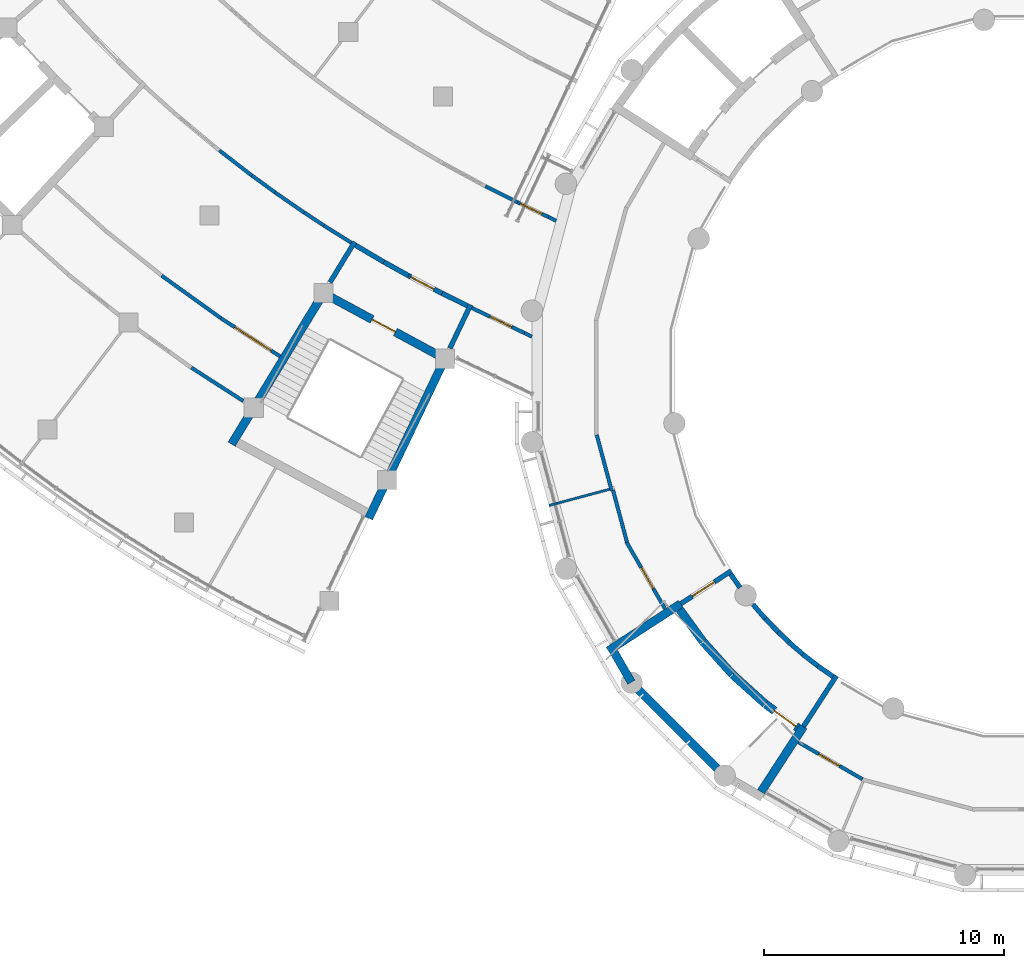
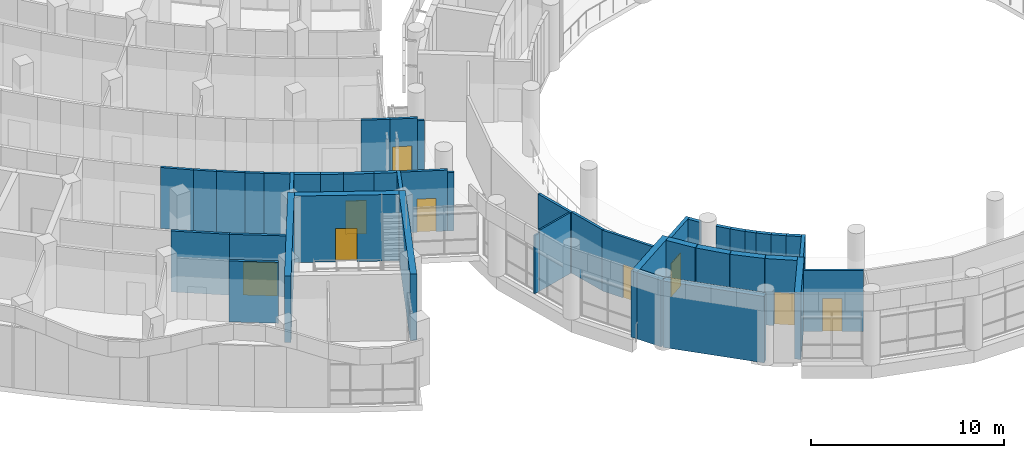
# One storey, part 45 of 109: 45 walls, 9 doors, 9 openings.
"""IFC4 building model written with IfcOpenShell, lengths in metres."""

from ifc_helpers import new_model, si_unit, direction, frame, frame_2d, origin, place, context, subcontext, project, spatial, rectangle, extrude, material, layer, layer_set, type_object, element, fill, save


model = new_model("IFC4")

# Units and contexts
model_context = context("Model", 3, precision=1e-05, world=origin(), true_north=direction((0.0, 1.0)))
body_context = subcontext(model_context, "Body", "Model", "MODEL_VIEW")
ifc_project = project(units=[si_unit("LENGTHUNIT", "METRE"), si_unit("AREAUNIT", "SQUARE_METRE"), si_unit("VOLUMEUNIT", "CUBIC_METRE"), si_unit("PLANEANGLEUNIT", "RADIAN"), si_unit("MASSUNIT", "GRAM", prefix="KILO")], contexts=[model_context])

# Site, building, storey
site_placement = place(None, origin())
site = spatial("IfcSite", under=ifc_project, at=site_placement, CompositionType="ELEMENT")
building_placement = place(site_placement, origin())
building = spatial("IfcBuilding", under=site, at=building_placement, Name="Bougainvillea Quay General Hospital", CompositionType="ELEMENT")
storey_placement = place(building_placement, frame((0.0, 0.0, 12.60009765625)))
storey = spatial("IfcBuildingStorey", under=building, at=storey_placement, Name="L02", CompositionType="ELEMENT", Elevation=12.60009765625)

# Walls
ifc_material_1 = material(Name="Gypsum board partition on steel studs", Category="steel")
ifc_layer_1 = layer(ifc_material_1, 0.10009765625)
ifc_layer_set_1 = layer_set([ifc_layer_1], Name="Gypsum board partition on steel studs")
wall_type_1 = type_object("IfcWallType", Name="Partition 100 Gypsum board partition EI 30", PredefinedType="PARTITIONING", material=ifc_layer_set_1)
wall_1_placement = place(storey_placement, frame((89.090087890625, 68.611083984375, 0.0), z_axis=(0.0, 0.0, 1.0), x_axis=(0.96589819818, 0.258922132605, 0.0)))
element("IfcWall", 1, at=wall_1_placement, inside=storey, type_object=wall_type_1, Name="Partition 100 mm EI 30", PredefinedType="PARTITIONING", context=body_context, shape_type="SweptSolid", body=[
    extrude(rectangle(XDim=0.349853515625, YDim=0.10009765625, at=frame_2d((0.1748046875, 0.0))), origin(), (0.0, 0.0, 1.0), 3.677978515625),
])
wall_2_placement = place(storey_placement, frame((89.427978515625, 68.70166015625, 0.0), z_axis=(0.0, 0.0, 1.0), x_axis=(0.96588300662, 0.25897879744, 0.0)))
element("IfcWall", 2, at=wall_2_placement, inside=storey, type_object=wall_type_1, Name="Partition 100 mm EI 30", PredefinedType="PARTITIONING", context=body_context, shape_type="SweptSolid", body=[
    extrude(rectangle(XDim=2.262451171875, YDim=0.10009765625, at=frame_2d((1.13134765625, 0.0))), origin(), (0.0, 0.0, 1.0), 3.849853515625),
])

# Wall, opening, door
ifc_material_2 = material(Name="Gypsum board partition on steel studs, insulated", Category="steel")
ifc_layer_2 = layer(ifc_material_2, 0.14990234375)
ifc_layer_set_2 = layer_set([ifc_layer_2], Name="Gypsum board partition on steel studs, insulated")
wall_type_2 = type_object("IfcWallType", Name="Partition 150 Gypsum board partition EI 30", PredefinedType="PARTITIONING", material=ifc_layer_set_2)
wall_3_placement = place(storey_placement, frame((99.4990234375, 58.7333984375, 0.0), z_axis=(0.0, 0.0, 1.0), x_axis=(0.866085584755, -0.499895749011, 0.0)))
wall_3 = element("IfcWall", 3, at=wall_3_placement, inside=storey, type_object=wall_type_2, Name="Partition 150 mm EI 30", PredefinedType="PARTITIONING", context=body_context, shape_type="SweptSolid", body=[
    extrude(rectangle(XDim=3.089599609375, YDim=0.14990234375, at=frame_2d((1.544921875, 0.0))), origin(), (0.0, 0.0, 1.0), 3.849853515625),
])
opening_1_placement = place(wall_3_placement, frame((0.984375, 0.0, 0.0)))
opening_1 = element("IfcOpeningElement", 4, at=opening_1_placement, cuts=wall_3, Name="Opening L02.244", PredefinedType="OPENING", context=body_context, shape_type="SweptSolid", body=[
    extrude(rectangle(XDim=1.0, YDim=2.10009765625, at=frame_2d((0.5, 1.050048828125))), frame((0.0, 0.0849609375, 0.0), z_axis=(0.0, -1.0, 0.0), x_axis=(1.0, 0.0, 0.0)), (0.0, 0.0, 1.0), 0.169921875),
])
ifc_material_3 = material(Name="Solid-core timber door leaf in steel frame", Category="steel")
door_type_1 = type_object("IfcDoorType", Name="Single leaf door 1000x2100 FD30S", OperationType="NOTDEFINED", PredefinedType="DOOR", material=ifc_material_3)
door_1_placement = place(opening_1_placement, frame((1.0, 0.0, 0.0), z_axis=(0.0, 0.0, 1.0), x_axis=(-1.0, 0.0, 0.0)))
door_1 = element("IfcDoor", 5, at=door_1_placement, inside=storey, type_object=door_type_1, Name="DT15 L02.244", OperationType="SINGLE_SWING_RIGHT", OverallHeight=2.10009765625, OverallWidth=1.0, PredefinedType="DOOR", context=body_context, shape_type="SweptSolid", body=[
    extrude(rectangle(XDim=1.0, YDim=2.10009765625, at=frame_2d((0.5, 1.050048828125))), frame((0.0, 0.02490234375, 0.0), z_axis=(0.0, -1.0, 0.0), x_axis=(1.0, 0.0, 0.0)), (0.0, 0.0, 1.0), 0.050048828125),
])
fill(opening_1, door_1)

wall_4_placement = place(storey_placement, frame((92.322509765625, 67.090087890625, 0.0), z_axis=(0.0, 0.0, 1.0), x_axis=(0.499927936522, -0.866067005655, 0.0)))
wall_4 = element("IfcWall", 6, at=wall_4_placement, inside=storey, type_object=wall_type_2, Name="Partition 150 mm EI 30", PredefinedType="PARTITIONING", context=body_context, shape_type="SweptSolid", body=[
    extrude(rectangle(XDim=3.22265625, YDim=0.14990234375, at=frame_2d((1.611328125, 0.0))), origin(), (0.0, 0.0, 1.0), 3.849853515625),
])
opening_2_placement = place(wall_4_placement, frame((1.23828125, 0.0, 0.0)))
opening_2 = element("IfcOpeningElement", 7, at=opening_2_placement, cuts=wall_4, Name="Opening L02.243", PredefinedType="OPENING", context=body_context, shape_type="SweptSolid", body=[
    extrude(rectangle(XDim=1.0, YDim=2.10009765625, at=frame_2d((0.5, 1.050048828125))), frame((0.0, 0.0849609375, 0.0), z_axis=(0.0, -1.0, 0.0), x_axis=(1.0, 0.0, 0.0)), (0.0, 0.0, 1.0), 0.169921875),
])
door_2_placement = place(opening_2_placement, frame((1.0, 0.0, 0.0), z_axis=(0.0, 0.0, 1.0), x_axis=(-1.0, 0.0, 0.0)))
door_2 = element("IfcDoor", 8, at=door_2_placement, inside=storey, type_object=door_type_1, Name="DT15 L02.243", OperationType="SINGLE_SWING_LEFT", OverallHeight=2.10009765625, OverallWidth=1.0, PredefinedType="DOOR", context=body_context, shape_type="SweptSolid", body=[
    extrude(rectangle(XDim=1.0, YDim=2.10009765625, at=frame_2d((0.5, 1.050048828125))), frame((0.0, 0.02490234375, 0.0), z_axis=(0.0, -1.0, 0.0), x_axis=(1.0, 0.0, 0.0)), (0.0, 0.0, 1.0), 0.050048828125),
])
fill(opening_2, door_2)

# Wall
wall_5_placement = place(storey_placement, frame((74.169921875, 74.3623046875, 0.0), z_axis=(0.0, 0.0, 1.0), x_axis=(0.840928399131, -0.541146401203, 0.0)))
element("IfcWall", 9, at=wall_5_placement, inside=storey, type_object=wall_type_2, Name="Partition 150 mm EI 30", PredefinedType="PARTITIONING", context=body_context, shape_type="SweptSolid", body=[
    extrude(rectangle(XDim=2.5703125, YDim=0.14990234375, at=frame_2d((1.28515625, 0.0))), origin(), (0.0, 0.0, 1.0), 3.849853515625),
])

# Wall, opening, door
wall_6_placement = place(storey_placement, frame((75.39599609375, 76.426513671875, 0.0), z_axis=(0.0, 0.0, 1.0), x_axis=(0.840919451001, -0.541160306128, 0.0)))
wall_6 = element("IfcWall", 10, at=wall_6_placement, inside=storey, type_object=wall_type_2, Name="Partition 150 mm EI 30", PredefinedType="PARTITIONING", context=body_context, shape_type="SweptSolid", body=[
    extrude(rectangle(XDim=2.94091796875, YDim=0.14990234375, at=frame_2d((1.470458984375, 0.0))), origin(), (0.0, 0.0, 1.0), 3.849853515625),
])
opening_3_placement = place(wall_6_placement, frame((0.696533203125, 0.0, 0.0)))
opening_3 = element("IfcOpeningElement", 11, at=opening_3_placement, cuts=wall_6, Name="Opening L02.175", PredefinedType="OPENING", context=body_context, shape_type="SweptSolid", body=[
    extrude(rectangle(XDim=1.800048828125, YDim=2.10009765625, at=frame_2d((0.89990234375, 1.050048828125))), frame((0.0, 0.0849609375, 0.0), z_axis=(0.0, -1.0, 0.0), x_axis=(1.0, 0.0, 0.0)), (0.0, 0.0, 1.0), 0.169921875),
])
ifc_material_4 = material(Name="Solid-core timber door leaves in steel frame", Category="steel")
door_type_2 = type_object("IfcDoorType", Name="Double leaf door 1800x2100", OperationType="DOUBLE_DOOR_SINGLE_SWING", PredefinedType="DOOR", material=ifc_material_4)
door_3_placement = place(opening_3_placement, frame((1.800048828125, 0.0, 0.0), z_axis=(0.0, 0.0, 1.0), x_axis=(-1.0, 0.0, 0.0)))
door_3 = element("IfcDoor", 12, at=door_3_placement, inside=storey, type_object=door_type_2, Name="DT08 L02.175", OperationType="DOUBLE_DOOR_SINGLE_SWING", OverallHeight=2.10009765625, OverallWidth=1.800048828125, PredefinedType="DOOR", context=body_context, shape_type="SweptSolid", body=[
    extrude(rectangle(XDim=1.800048828125, YDim=2.10009765625, at=frame_2d((0.89990234375, 1.050048828125))), frame((0.0, 0.02490234375, 0.0), z_axis=(0.0, -1.0, 0.0), x_axis=(1.0, 0.0, 0.0)), (0.0, 0.0, 1.0), 0.050048828125),
])
fill(opening_3, door_3)

# Wall
wall_7_placement = place(storey_placement, frame((72.926025390625, 78.20361328125, 0.0), z_axis=(0.0, 0.0, 1.0), x_axis=(0.812431785264, -0.583056253112, 0.0)))
element("IfcWall", 13, at=wall_7_placement, inside=storey, type_object=wall_type_2, Name="Partition 150 mm EI 30", PredefinedType="PARTITIONING", context=body_context, shape_type="SweptSolid", body=[
    extrude(rectangle(XDim=3.046142578125, YDim=0.14990234375, at=frame_2d((1.52294921875, 0.0))), origin(), (0.0, 0.0, 1.0), 3.849853515625),
])

# Wall, opening, door
wall_8_placement = place(storey_placement, frame((85.87109375, 76.85546875, 0.0), z_axis=(0.0, 0.0, 1.0), x_axis=(0.902650527198, -0.43037428565, 0.0)))
wall_8 = element("IfcWall", 14, at=wall_8_placement, inside=storey, type_object=wall_type_2, Name="Partition 150 mm EI 30", PredefinedType="PARTITIONING", context=body_context, shape_type="SweptSolid", body=[
    extrude(rectangle(XDim=2.4296875, YDim=0.14990234375, at=frame_2d((1.21484375, 0.0))), origin(), (0.0, 0.0, 1.0), 3.849853515625),
])
opening_4_placement = place(wall_8_placement, frame((0.83935546875, 0.0, 0.0)))
opening_4 = element("IfcOpeningElement", 15, at=opening_4_placement, cuts=wall_8, Name="Opening L02.219", PredefinedType="OPENING", context=body_context, shape_type="SweptSolid", body=[
    extrude(rectangle(XDim=1.0, YDim=2.10009765625, at=frame_2d((0.5, 1.050048828125))), frame((0.0, 0.0849609375, 0.0), z_axis=(0.0, -1.0, 0.0), x_axis=(1.0, 0.0, 0.0)), (0.0, 0.0, 1.0), 0.169921875),
])
door_4_placement = place(opening_4_placement, frame((1.0, 0.0, 0.0), z_axis=(0.0, 0.0, 1.0), x_axis=(-1.0, 0.0, 0.0)))
door_4 = element("IfcDoor", 16, at=door_4_placement, inside=storey, type_object=door_type_1, Name="DT15 L02.219", OperationType="SINGLE_SWING_LEFT", OverallHeight=2.10009765625, OverallWidth=1.0, PredefinedType="DOOR", context=body_context, shape_type="SweptSolid", body=[
    extrude(rectangle(XDim=1.0, YDim=2.10009765625, at=frame_2d((0.5, 1.050048828125))), frame((0.0, 0.02490234375, 0.0), z_axis=(0.0, -1.0, 0.0), x_axis=(1.0, 0.0, 0.0)), (0.0, 0.0, 1.0), 0.050048828125),
])
fill(opening_4, door_4)

# Walls
wall_9_placement = place(storey_placement, frame((88.064208984375, 75.809814453125, 0.0), z_axis=(0.0, 0.0, 1.0), x_axis=(0.902240472816, -0.431233265429, 0.0)))
element("IfcWall", 17, at=wall_9_placement, inside=storey, type_object=wall_type_2, Name="Partition 150 mm EI 30", PredefinedType="PARTITIONING", context=body_context, shape_type="SweptSolid", body=[
    extrude(rectangle(XDim=0.349853515625, YDim=0.14990234375, at=frame_2d((0.1748046875, 0.0))), origin(), (0.0, 0.0, 1.0), 3.677978515625),
])
wall_10_placement = place(storey_placement, frame((91.0830078125, 71.55908203125, 0.0), z_axis=(0.0, 0.0, 1.0), x_axis=(0.258616060492, -0.965980192994, 0.0)))
element("IfcWall", 18, at=wall_10_placement, inside=storey, type_object=wall_type_2, Name="Partition 150 mm EI 30", PredefinedType="PARTITIONING", context=body_context, shape_type="SweptSolid", body=[
    extrude(rectangle(XDim=2.40625, YDim=0.14990234375, at=frame_2d((1.203125, 0.0))), origin(), (0.0, 0.0, 1.0), 3.849853515625),
])
wall_11_placement = place(storey_placement, frame((91.763427734375, 69.25, 0.0), z_axis=(0.0, 0.0, 1.0), x_axis=(0.258975193967, -0.965883972799, 0.0)))
element("IfcWall", 19, at=wall_11_placement, inside=storey, type_object=wall_type_2, Name="Partition 150 mm EI 30", PredefinedType="PARTITIONING", context=body_context, shape_type="SweptSolid", body=[
    extrude(rectangle(XDim=2.24560546875, YDim=0.14990234375, at=frame_2d((1.122802734375, 0.0))), origin(), (0.0, 0.0, 1.0), 3.849853515625),
])
wall_12_placement = place(storey_placement, frame((75.335205078125, 83.427734375, 0.0), z_axis=(0.0, 0.0, 1.0), x_axis=(0.791538398042, -0.611119435483, 0.0)))
element("IfcWall", 20, at=wall_12_placement, inside=storey, type_object=wall_type_2, Name="Partition 150 mm EI 30", PredefinedType="PARTITIONING", context=body_context, shape_type="SweptSolid", body=[
    extrude(rectangle(XDim=1.7158203125, YDim=0.14990234375, at=frame_2d((0.85791015625, 0.0))), origin(), (0.0, 0.0, 1.0), 3.849853515625),
])

# Wall, opening, door
wall_13_placement = place(storey_placement, frame((87.7783203125, 81.264404296875, 0.0), z_axis=(0.0, 0.0, 1.0), x_axis=(0.902557824877, -0.430568662066, 0.0)))
wall_13 = element("IfcWall", 21, at=wall_13_placement, inside=storey, type_object=wall_type_2, Name="Partition 150 mm EI 30", PredefinedType="PARTITIONING", context=body_context, shape_type="SweptSolid", body=[
    extrude(rectangle(XDim=1.432373046875, YDim=0.14990234375, at=frame_2d((0.71630859375, 0.0))), origin(), (0.0, 0.0, 1.0), 3.849853515625),
])
opening_5_placement = place(wall_13_placement, frame((0.128662109375, 0.0, 0.0)))
opening_5 = element("IfcOpeningElement", 22, at=opening_5_placement, cuts=wall_13, Name="Opening L02.220", PredefinedType="OPENING", context=body_context, shape_type="SweptSolid", body=[
    extrude(rectangle(XDim=1.0, YDim=2.10009765625, at=frame_2d((0.5, 1.050048828125))), frame((0.0, 0.0849609375, 0.0), z_axis=(0.0, -1.0, 0.0), x_axis=(1.0, 0.0, 0.0)), (0.0, 0.0, 1.0), 0.169921875),
])
door_5_placement = place(opening_5_placement, origin())
door_5 = element("IfcDoor", 23, at=door_5_placement, inside=storey, type_object=door_type_1, Name="DT15 L02.220", OperationType="SINGLE_SWING_LEFT", OverallHeight=2.10009765625, OverallWidth=1.0, PredefinedType="DOOR", context=body_context, shape_type="SweptSolid", body=[
    extrude(rectangle(XDim=1.0, YDim=2.10009765625, at=frame_2d((0.5, 1.050048828125))), frame((0.0, 0.02490234375, 0.0), z_axis=(0.0, -1.0, 0.0), x_axis=(1.0, 0.0, 0.0)), (0.0, 0.0, 1.0), 0.050048828125),
])
fill(opening_5, door_5)

# Walls
wall_14_placement = place(storey_placement, frame((89.071044921875, 80.647705078125, 0.0), z_axis=(0.0, 0.0, 1.0), x_axis=(0.902641205527, -0.43039383602, 0.0)))
element("IfcWall", 24, at=wall_14_placement, inside=storey, type_object=wall_type_2, Name="Partition 150 mm EI 30", PredefinedType="PARTITIONING", context=body_context, shape_type="SweptSolid", body=[
    extrude(rectangle(XDim=0.35009765625, YDim=0.14990234375, at=frame_2d((0.175048828125, 0.0))), origin(), (0.0, 0.0, 1.0), 3.677978515625),
])
wall_15_placement = place(storey_placement, frame((86.433837890625, 81.9384765625, 0.0), z_axis=(0.0, 0.0, 1.0), x_axis=(0.894297168166, -0.447473546717, 0.0)))
element("IfcWall", 25, at=wall_15_placement, inside=storey, type_object=wall_type_2, Name="Partition 150 mm EI 30", PredefinedType="PARTITIONING", context=body_context, shape_type="SweptSolid", body=[
    extrude(rectangle(XDim=1.502685546875, YDim=0.14990234375, at=frame_2d((0.75146484375, 0.0))), origin(), (0.0, 0.0, 1.0), 3.849853515625),
])
wall_16_placement = place(storey_placement, frame((79.6953125, 80.294921875, 0.0), z_axis=(0.0, 0.0, 1.0), x_axis=(0.847541618724, -0.530728936964, 0.0)))
element("IfcWall", 26, at=wall_16_placement, inside=storey, type_object=wall_type_2, Name="Partition 150 mm EI 30", PredefinedType="PARTITIONING", context=body_context, shape_type="SweptSolid", body=[
    extrude(rectangle(XDim=1.3525390625, YDim=0.14990234375, at=frame_2d((0.67626953125, 0.0))), origin(), (0.0, 0.0, 1.0), 3.849853515625),
])
wall_17_placement = place(storey_placement, frame((77.6533203125, 81.6796875, 0.0), z_axis=(0.0, 0.0, 1.0), x_axis=(0.822646640465, -0.568552992194, 0.0)))
element("IfcWall", 27, at=wall_17_placement, inside=storey, type_object=wall_type_2, Name="Partition 150 mm EI 30", PredefinedType="PARTITIONING", context=body_context, shape_type="SweptSolid", body=[
    extrude(rectangle(XDim=1.48828125, YDim=0.14990234375, at=frame_2d((0.744140625, 0.0))), origin(), (0.0, 0.0, 1.0), 3.849853515625),
])
wall_18_placement = place(storey_placement, frame((76.693115234375, 82.382080078125, 0.0), z_axis=(0.0, 0.0, 1.0), x_axis=(0.808088805309, -0.589060678312, 0.0)))
element("IfcWall", 28, at=wall_18_placement, inside=storey, type_object=wall_type_2, Name="Partition 150 mm EI 30", PredefinedType="PARTITIONING", context=body_context, shape_type="SweptSolid", body=[
    extrude(rectangle(XDim=1.191650390625, YDim=0.14990234375, at=frame_2d((0.595703125, 0.0))), origin(), (0.0, 0.0, 1.0), 3.849853515625),
])
wall_19_placement = place(storey_placement, frame((78.877197265625, 80.835693359375, 0.0), z_axis=(0.0, 0.0, 1.0), x_axis=(0.835209839134, -0.549931381733, 0.0)))
element("IfcWall", 29, at=wall_19_placement, inside=storey, type_object=wall_type_2, Name="Partition 150 mm EI 30", PredefinedType="PARTITIONING", context=body_context, shape_type="SweptSolid", body=[
    extrude(rectangle(XDim=0.982421875, YDim=0.14990234375, at=frame_2d((0.4912109375, 0.0))), origin(), (0.0, 0.0, 1.0), 3.849853515625),
])

# Wall, opening, door
ifc_material_5 = material(Name="Fire-rated autoclaved aerated block wall, plastered")
ifc_layer_3 = layer(ifc_material_5, 0.199951171875)
ifc_layer_set_3 = layer_set([ifc_layer_3], Name="Fire-rated autoclaved aerated block wall, plastered")
wall_type_3 = type_object("IfcWallType", Name="Partition 200 Fire-rated autoclaved aerated block wall EI 120", PredefinedType="SOLIDWALL", material=ifc_layer_set_3)
wall_20_placement = place(storey_placement, frame((94.585693359375, 64.50927734375, 0.0), z_axis=(0.0, 0.0, 1.0), x_axis=(0.838726213853, 0.544553338247, 0.0)))
wall_20 = element("IfcWall", 30, at=wall_20_placement, inside=storey, type_object=wall_type_3, Name="Partition 200 mm EI 120", PredefinedType="SOLIDWALL", context=body_context, shape_type="SweptSolid", body=[
    extrude(rectangle(XDim=2.525390625, YDim=0.199951171875, at=frame_2d((1.2626953125, 0.0))), origin(), (0.0, 0.0, 1.0), 3.849853515625),
])
opening_6_placement = place(wall_20_placement, frame((0.5751953125, 0.0, 0.0)))
opening_6 = element("IfcOpeningElement", 31, at=opening_6_placement, cuts=wall_20, Name="Opening L02.280", PredefinedType="OPENING", context=body_context, shape_type="SweptSolid", body=[
    extrude(rectangle(XDim=1.10009765625, YDim=2.10009765625, at=frame_2d((0.550048828125, 1.050048828125))), frame((0.0, 0.10986328125, 0.0), z_axis=(0.0, -1.0, 0.0), x_axis=(1.0, 0.0, 0.0)), (0.0, 0.0, 1.0), 0.219970703125),
])
door_type_3 = type_object("IfcDoorType", Name="Single leaf door 1100x2100 FD60", OperationType="NOTDEFINED", PredefinedType="DOOR", material=ifc_material_3)
door_6_placement = place(opening_6_placement, frame((1.10009765625, 0.0, 0.0), z_axis=(0.0, 0.0, 1.0), x_axis=(-1.0, 0.0, 0.0)))
door_6 = element("IfcDoor", 32, at=door_6_placement, inside=storey, type_object=door_type_3, Name="DT19 L02.280", OperationType="SINGLE_SWING_RIGHT", OverallHeight=2.10009765625, OverallWidth=1.10009765625, PredefinedType="DOOR", context=body_context, shape_type="SweptSolid", body=[
    extrude(rectangle(XDim=1.10009765625, YDim=2.10009765625, at=frame_2d((0.550048828125, 1.050048828125))), frame((0.0, 0.02490234375, 0.0), z_axis=(0.0, -1.0, 0.0), x_axis=(1.0, 0.0, 0.0)), (0.0, 0.0, 1.0), 0.050048828125),
])
fill(opening_6, door_6)

# Walls
wall_21_placement = place(storey_placement, frame((99.709228515625, 59.3857421875, 0.0), z_axis=(0.0, 0.0, 1.0), x_axis=(0.544553338247, 0.838726213853, 0.0)))
element("IfcWall", 33, at=wall_21_placement, inside=storey, type_object=wall_type_3, Name="Partition 200 mm EI 120", PredefinedType="SOLIDWALL", context=body_context, shape_type="SweptSolid", body=[
    extrude(rectangle(XDim=2.525390625, YDim=0.199951171875, at=frame_2d((1.2626953125, 0.0))), origin(), (0.0, 0.0, 1.0), 3.849853515625),
])
wall_22_placement = place(storey_placement, frame((84.9580078125, 75.17529296875, 0.0), z_axis=(0.0, 0.0, 1.0), x_axis=(0.430419231225, 0.902629096247, 0.0)))
element("IfcWall", 34, at=wall_22_placement, inside=storey, type_object=wall_type_3, Name="Partition 200 mm EI 120", PredefinedType="SOLIDWALL", context=body_context, shape_type="SweptSolid", body=[
    extrude(rectangle(XDim=2.009765625, YDim=0.199951171875, at=frame_2d((1.0048828125, 0.0))), origin(), (0.0, 0.0, 1.0), 3.849853515625),
])
wall_23_placement = place(storey_placement, frame((79.955322265625, 77.923828125, 0.0), z_axis=(0.0, 0.0, 1.0), x_axis=(0.519675881268, 0.85436349315, 0.0)))
element("IfcWall", 35, at=wall_23_placement, inside=storey, type_object=wall_type_3, Name="Partition 200 mm EI 120", PredefinedType="SOLIDWALL", context=body_context, shape_type="SweptSolid", body=[
    extrude(rectangle(XDim=1.9716796875, YDim=0.199951171875, at=frame_2d((0.98583984375, 0.0))), origin(), (0.0, 0.0, 1.0), 3.849853515625),
])

# Wall, opening, door
wall_24_placement = place(storey_placement, frame((83.232421875, 78.196533203125, 0.0), z_axis=(0.0, 0.0, 1.0), x_axis=(0.885510751813, -0.464618885134, 0.0)))
wall_24 = element("IfcWall", 36, at=wall_24_placement, inside=storey, type_object=wall_type_3, Name="Partition 200 mm EI 120", PredefinedType="SOLIDWALL", context=body_context, shape_type="SweptSolid", body=[
    extrude(rectangle(XDim=1.580078125, YDim=0.199951171875, at=frame_2d((0.7900390625, 0.0))), origin(), (0.0, 0.0, 1.0), 3.849853515625),
])
opening_7_placement = place(wall_24_placement, frame((0.10009765625, 0.0, 0.0)))
opening_7 = element("IfcOpeningElement", 37, at=opening_7_placement, cuts=wall_24, Name="Opening L02.266", PredefinedType="OPENING", context=body_context, shape_type="SweptSolid", body=[
    extrude(rectangle(XDim=1.10009765625, YDim=2.10009765625, at=frame_2d((0.550048828125, 1.050048828125))), frame((0.0, 0.10986328125, 0.0), z_axis=(0.0, -1.0, 0.0), x_axis=(1.0, 0.0, 0.0)), (0.0, 0.0, 1.0), 0.219970703125),
])
ifc_material_6 = material(Name="Steel fire door leaf in steel frame", Category="steel")
door_type_4 = type_object("IfcDoorType", Name="Steel single leaf door 1100x2100 FD60", OperationType="NOTDEFINED", PredefinedType="DOOR", material=ifc_material_6)
door_7_placement = place(opening_7_placement, frame((1.10009765625, 0.0, 0.0), z_axis=(0.0, 0.0, 1.0), x_axis=(-1.0, 0.0, 0.0)))
door_7 = element("IfcDoor", 38, at=door_7_placement, inside=storey, type_object=door_type_4, Name="DT04 L02.266", OperationType="SINGLE_SWING_RIGHT", OverallHeight=2.10009765625, OverallWidth=1.10009765625, PredefinedType="DOOR", context=body_context, shape_type="SweptSolid", body=[
    extrude(rectangle(XDim=1.10009765625, YDim=2.10009765625, at=frame_2d((0.550048828125, 1.050048828125))), frame((0.0, 0.02490234375, 0.0), z_axis=(0.0, -1.0, 0.0), x_axis=(1.0, 0.0, 0.0)), (0.0, 0.0, 1.0), 0.050048828125),
])
fill(opening_7, door_7)

# Walls
wall_25_placement = place(storey_placement, frame((81.01513671875, 79.471435546875, 0.0), z_axis=(0.0, 0.0, 1.0), x_axis=(0.860926528214, -0.508729312127, 0.0)))
element("IfcWall", 39, at=wall_25_placement, inside=storey, type_object=wall_type_3, Name="Partition 200 mm EI 120", PredefinedType="SOLIDWALL", context=body_context, shape_type="SweptSolid", body=[
    extrude(rectangle(XDim=1.378662109375, YDim=0.199951171875, at=frame_2d((0.689453125, 0.0))), origin(), (0.0, 0.0, 1.0), 3.849853515625),
])
wall_26_placement = place(storey_placement, frame((84.630615234375, 77.4658203125, 0.0), z_axis=(0.0, 0.0, 1.0), x_axis=(0.896895597342, -0.442242340203, 0.0)))
element("IfcWall", 40, at=wall_26_placement, inside=storey, type_object=wall_type_3, Name="Partition 200 mm EI 120", PredefinedType="SOLIDWALL", context=body_context, shape_type="SweptSolid", body=[
    extrude(rectangle(XDim=1.18017578125, YDim=0.199951171875, at=frame_2d((0.590087890625, 0.0))), origin(), (0.0, 0.0, 1.0), 3.849853515625),
])
wall_27_placement = place(storey_placement, frame((82.201171875, 78.773681640625, 0.0), z_axis=(0.0, 0.0, 1.0), x_axis=(0.873621822139, -0.486605499232, 0.0)))
element("IfcWall", 41, at=wall_27_placement, inside=storey, type_object=wall_type_3, Name="Partition 200 mm EI 120", PredefinedType="SOLIDWALL", context=body_context, shape_type="SweptSolid", body=[
    extrude(rectangle(XDim=1.18408203125, YDim=0.199951171875, at=frame_2d((0.592041015625, 0.0))), origin(), (0.0, 0.0, 1.0), 3.849853515625),
])
wall_28_placement = place(storey_placement, frame((100.300537109375, 61.921630859375, 0.0), z_axis=(0.0, 0.0, 1.0), x_axis=(0.823906287356, -0.566726062269, 0.0)))
element("IfcWall", 42, at=wall_28_placement, inside=storey, type_object=wall_type_3, Name="Partition 200 mm EI 120", PredefinedType="SOLIDWALL", context=body_context, shape_type="SweptSolid", body=[
    extrude(rectangle(XDim=0.787841796875, YDim=0.199951171875, at=frame_2d((0.39404296875, 0.0))), origin(), (0.0, 0.0, 1.0), 3.849853515625),
])
wall_29_placement = place(storey_placement, frame((96.67529296875, 65.749755859375, 0.0), z_axis=(0.0, 0.0, 1.0), x_axis=(0.566513767674, -0.824052274456, 0.0)))
element("IfcWall", 43, at=wall_29_placement, inside=storey, type_object=wall_type_3, Name="Partition 200 mm EI 120", PredefinedType="SOLIDWALL", context=body_context, shape_type="SweptSolid", body=[
    extrude(rectangle(XDim=0.688232421875, YDim=0.199951171875, at=frame_2d((0.34423828125, 0.0))), origin(), (0.0, 0.0, 1.0), 3.849853515625),
])
wall_30_placement = place(storey_placement, frame((99.6806640625, 62.40380859375, 0.0), z_axis=(0.0, 0.0, 1.0), x_axis=(0.793427303362, -0.608665026333, 0.0)))
element("IfcWall", 44, at=wall_30_placement, inside=storey, type_object=wall_type_3, Name="Partition 200 mm EI 120", PredefinedType="SOLIDWALL", context=body_context, shape_type="SweptSolid", body=[
    extrude(rectangle(XDim=0.790283203125, YDim=0.199951171875, at=frame_2d((0.39501953125, 0.0))), origin(), (0.0, 0.0, 1.0), 3.849853515625),
])
for number, where, z_axis, x_axis, name in (
    (45, (99.0869140625, 62.91796875, 0.0), (0.0, 0.0, 1.0), (0.760389572583, -0.649467241597, 0.0), "Partition 200 mm EI 120"),
    (46, (97.604736328125, 64.48779296875, 0.0), (0.0, 0.0, 1.0), (0.649467241597, -0.760389572583, 0.0), "Partition 200 mm EI 120"),
):
    element("IfcWall", number, at=place(storey_placement, frame(where, z_axis=z_axis, x_axis=x_axis)), inside=storey, type_object=wall_type_3, Name=name, PredefinedType="SOLIDWALL", context=body_context, shape_type="SweptSolid", body=[
        extrude(rectangle(XDim=0.7900390625, YDim=0.199951171875, at=frame_2d((0.39501953125, 0.0))), origin(), (0.0, 0.0, 1.0), 3.849853515625),
    ])
wall_31_placement = place(storey_placement, frame((98.118408203125, 63.89404296875, 0.0), z_axis=(0.0, 0.0, 1.0), x_axis=(0.687693231893, -0.726001390363, 0.0)))
element("IfcWall", 47, at=wall_31_placement, inside=storey, type_object=wall_type_3, Name="Partition 200 mm EI 120", PredefinedType="SOLIDWALL", context=body_context, shape_type="SweptSolid", body=[
    extrude(rectangle(XDim=0.790283203125, YDim=0.199951171875, at=frame_2d((0.39501953125, 0.0))), origin(), (0.0, 0.0, 1.0), 3.849853515625),
])
wall_32_placement = place(storey_placement, frame((98.661865234375, 63.327880859375, 0.0), z_axis=(0.0, 0.0, 1.0), x_axis=(0.725920352122, -0.687778774298, 0.0)))
element("IfcWall", 48, at=wall_32_placement, inside=storey, type_object=wall_type_3, Name="Partition 200 mm EI 120", PredefinedType="SOLIDWALL", context=body_context, shape_type="SweptSolid", body=[
    extrude(rectangle(XDim=0.59521484375, YDim=0.199951171875, at=frame_2d((0.297607421875, 0.0))), origin(), (0.0, 0.0, 1.0), 3.849853515625),
])
ifc_material_7 = material(Name="Concrete C40", Category="concrete")
ifc_layer_4 = layer(ifc_material_7, 0.35009765625)
ifc_layer_set_4 = layer_set([ifc_layer_4], Name="Concrete C40")
wall_type_4 = type_object("IfcWallType", Name="RC SHEAR WALL 350 C40", PredefinedType="SHEAR", material=ifc_layer_set_4)
wall_33_placement = place(storey_placement, frame((75.84814453125, 71.172607421875, 0.0), z_axis=(0.0, 0.0, 1.0), x_axis=(0.51973149438, 0.854329663391, 0.0)))
element("IfcWall", 49, at=wall_33_placement, inside=storey, type_object=wall_type_4, Name="Shear wall L02", PredefinedType="SHEAR", context=body_context, shape_type="SweptSolid", body=[
    extrude(rectangle(XDim=7.5498046875, YDim=0.35009765625, at=frame_2d((3.77490234375, 0.0))), origin(), (0.0, 0.0, 1.0), 4.199951171875),
])
wall_34_placement = place(storey_placement, frame((81.571533203125, 68.0771484375, 0.0), z_axis=(0.0, 0.0, 1.0), x_axis=(0.430592498036, 0.90254645345, 0.0)))
element("IfcWall", 50, at=wall_34_placement, inside=storey, type_object=wall_type_4, Name="Shear wall L02", PredefinedType="SHEAR", context=body_context, shape_type="SweptSolid", body=[
    extrude(rectangle(XDim=7.549560546875, YDim=0.35009765625, at=frame_2d((3.77490234375, 0.0))), origin(), (0.0, 0.0, 1.0), 4.199951171875),
])

# Wall, opening, door
wall_35_placement = place(storey_placement, frame((84.593017578125, 74.816162109375, 0.0), z_axis=(0.0, 0.0, 1.0), x_axis=(-0.879585553739, 0.475740742058, 0.0)))
wall_35 = element("IfcWall", 51, at=wall_35_placement, inside=storey, type_object=wall_type_4, Name="Shear wall L02", PredefinedType="SHEAR", context=body_context, shape_type="SweptSolid", body=[
    extrude(rectangle(XDim=5.409423828125, YDim=0.35009765625, at=frame_2d((2.70458984375, 0.0))), origin(), (0.0, 0.0, 1.0), 4.199951171875),
])
opening_8_placement = place(wall_35_placement, frame((2.173828125, 0.0, 0.0)))
opening_8 = element("IfcOpeningElement", 52, at=opening_8_placement, cuts=wall_35, Name="Opening L02.265", PredefinedType="OPENING", context=body_context, shape_type="SweptSolid", body=[
    extrude(rectangle(XDim=1.10009765625, YDim=2.10009765625, at=frame_2d((0.550048828125, 1.050048828125))), frame((0.0, 0.18505859375, 0.0), z_axis=(0.0, -1.0, 0.0), x_axis=(1.0, 0.0, 0.0)), (0.0, 0.0, 1.0), 0.3701171875),
])
door_8_placement = place(opening_8_placement, origin())
door_8 = element("IfcDoor", 53, at=door_8_placement, inside=storey, type_object=door_type_4, Name="DT04 L02.265", OperationType="SINGLE_SWING_RIGHT", OverallHeight=2.10009765625, OverallWidth=1.10009765625, PredefinedType="DOOR", context=body_context, shape_type="SweptSolid", body=[
    extrude(rectangle(XDim=1.10009765625, YDim=2.10009765625, at=frame_2d((0.550048828125, 1.050048828125))), frame((0.0, 0.02490234375, 0.0), z_axis=(0.0, -1.0, 0.0), x_axis=(1.0, 0.0, 0.0)), (0.0, 0.0, 1.0), 0.050048828125),
])
fill(opening_8, door_8)

# Walls
wall_36_placement = place(storey_placement, frame((91.568115234375, 62.5498046875, 0.0), z_axis=(0.0, 0.0, 1.0), x_axis=(0.838691576971, 0.544606682587, 0.0)))
element("IfcWall", 54, at=wall_36_placement, inside=storey, type_object=wall_type_4, Name="Shear wall L02", PredefinedType="SHEAR", context=body_context, shape_type="SweptSolid", body=[
    extrude(rectangle(XDim=3.597900390625, YDim=0.35009765625, at=frame_2d((1.798828125, 0.0))), origin(), (0.0, 0.0, 1.0), 4.199951171875),
])
wall_37_placement = place(storey_placement, frame((91.802490234375, 62.493408203125, 0.0), z_axis=(0.0, 0.0, 1.0), x_axis=(0.500008670696, -0.866020397698, 0.0)))
element("IfcWall", 55, at=wall_37_placement, inside=storey, type_object=wall_type_4, Name="Shear wall L02", PredefinedType="SHEAR", context=body_context, shape_type="SweptSolid", body=[
    extrude(rectangle(XDim=1.4521484375, YDim=0.35009765625, at=frame_2d((0.72607421875, 0.0))), origin(), (0.0, 0.0, 1.0), 4.199951171875),
])
wall_38_placement = place(storey_placement, frame((92.556396484375, 61.19970703125, 0.0), z_axis=(0.0, 0.0, 1.0), x_axis=(0.707084322301, -0.707129239359, 0.0)))
element("IfcWall", 56, at=wall_38_placement, inside=storey, type_object=wall_type_4, Name="Shear wall L02", PredefinedType="SHEAR", context=body_context, shape_type="SweptSolid", body=[
    extrude(rectangle(XDim=5.435302734375, YDim=0.35009765625, at=frame_2d((2.7177734375, 0.0))), origin(), (0.0, 0.0, 1.0), 4.199951171875),
])
wall_39_placement = place(storey_placement, frame((95.5166015625, 62.931396484375, 0.0), z_axis=(0.0, 0.0, 1.0), x_axis=(-0.587891456294, 0.808939822, 0.0)))
element("IfcWall", 57, at=wall_39_placement, inside=storey, type_object=wall_type_4, Name="Shear wall L02", PredefinedType="SHEAR", context=body_context, shape_type="SweptSolid", body=[
    extrude(rectangle(XDim=1.65771484375, YDim=0.35009765625, at=frame_2d((0.828857421875, 0.0))), origin(), (0.0, 0.0, 1.0), 4.199951171875),
])
wall_40_placement = place(storey_placement, frame((96.748779296875, 61.561767578125, 0.0), z_axis=(0.0, 0.0, 1.0), x_axis=(-0.669201321397, 0.743081147279, 0.0)))
element("IfcWall", 58, at=wall_40_placement, inside=storey, type_object=wall_type_4, Name="Shear wall L02", PredefinedType="SHEAR", context=body_context, shape_type="SweptSolid", body=[
    extrude(rectangle(XDim=1.82421875, YDim=0.35009765625, at=frame_2d((0.912109375, 0.0))), origin(), (0.0, 0.0, 1.0), 4.199951171875),
])
wall_41_placement = place(storey_placement, frame((97.9404296875, 56.661865234375, 0.0), z_axis=(0.0, 0.0, 1.0), x_axis=(0.544615743299, 0.838685693303, 0.0)))
element("IfcWall", 59, at=wall_41_placement, inside=storey, type_object=wall_type_4, Name="Shear wall L02", PredefinedType="SHEAR", context=body_context, shape_type="SweptSolid", body=[
    extrude(rectangle(XDim=3.247802734375, YDim=0.35009765625, at=frame_2d((1.6240234375, 0.0))), origin(), (0.0, 0.0, 1.0), 4.199951171875),
])
wall_42_placement = place(storey_placement, frame((98.1171875, 60.328125, 0.0), z_axis=(0.0, 0.0, 1.0), x_axis=(-0.743081147279, 0.669201321397, 0.0)))
element("IfcWall", 60, at=wall_42_placement, inside=storey, type_object=wall_type_4, Name="Shear wall L02", PredefinedType="SHEAR", context=body_context, shape_type="SweptSolid", body=[
    extrude(rectangle(XDim=1.82421875, YDim=0.35009765625, at=frame_2d((0.912109375, 0.0))), origin(), (0.0, 0.0, 1.0), 4.199951171875),
])

# Wall, opening, door
wall_43_placement = place(storey_placement, frame((99.472412109375, 59.341796875, 0.0), z_axis=(0.0, 0.0, 1.0), x_axis=(-0.808869786542, 0.587987813155, 0.0)))
wall_43 = element("IfcWall", 61, at=wall_43_placement, inside=storey, type_object=wall_type_4, Name="Shear wall L02", PredefinedType="SHEAR", context=body_context, shape_type="SweptSolid", body=[
    extrude(rectangle(XDim=1.657958984375, YDim=0.35009765625, at=frame_2d((0.8291015625, 0.0))), origin(), (0.0, 0.0, 1.0), 4.199951171875),
])
opening_9_placement = place(wall_43_placement, frame((0.10009765625, 0.0, 0.0)))
opening_9 = element("IfcOpeningElement", 62, at=opening_9_placement, cuts=wall_43, Name="Opening L02.279", PredefinedType="OPENING", context=body_context, shape_type="SweptSolid", body=[
    extrude(rectangle(XDim=1.10009765625, YDim=2.10009765625, at=frame_2d((0.550048828125, 1.050048828125))), frame((0.0, 0.18505859375, 0.0), z_axis=(0.0, -1.0, 0.0), x_axis=(1.0, 0.0, 0.0)), (0.0, 0.0, 1.0), 0.3701171875),
])
door_9_placement = place(opening_9_placement, origin())
door_9 = element("IfcDoor", 63, at=door_9_placement, inside=storey, type_object=door_type_4, Name="DT04 L02.279", OperationType="SINGLE_SWING_LEFT", OverallHeight=2.10009765625, OverallWidth=1.10009765625, PredefinedType="DOOR", context=body_context, shape_type="SweptSolid", body=[
    extrude(rectangle(XDim=1.10009765625, YDim=2.10009765625, at=frame_2d((0.550048828125, 1.050048828125))), frame((0.0, 0.02490234375, 0.0), z_axis=(0.0, -1.0, 0.0), x_axis=(1.0, 0.0, 0.0)), (0.0, 0.0, 1.0), 0.050048828125),
])
fill(opening_9, door_9)

save(model, "model.ifc")
